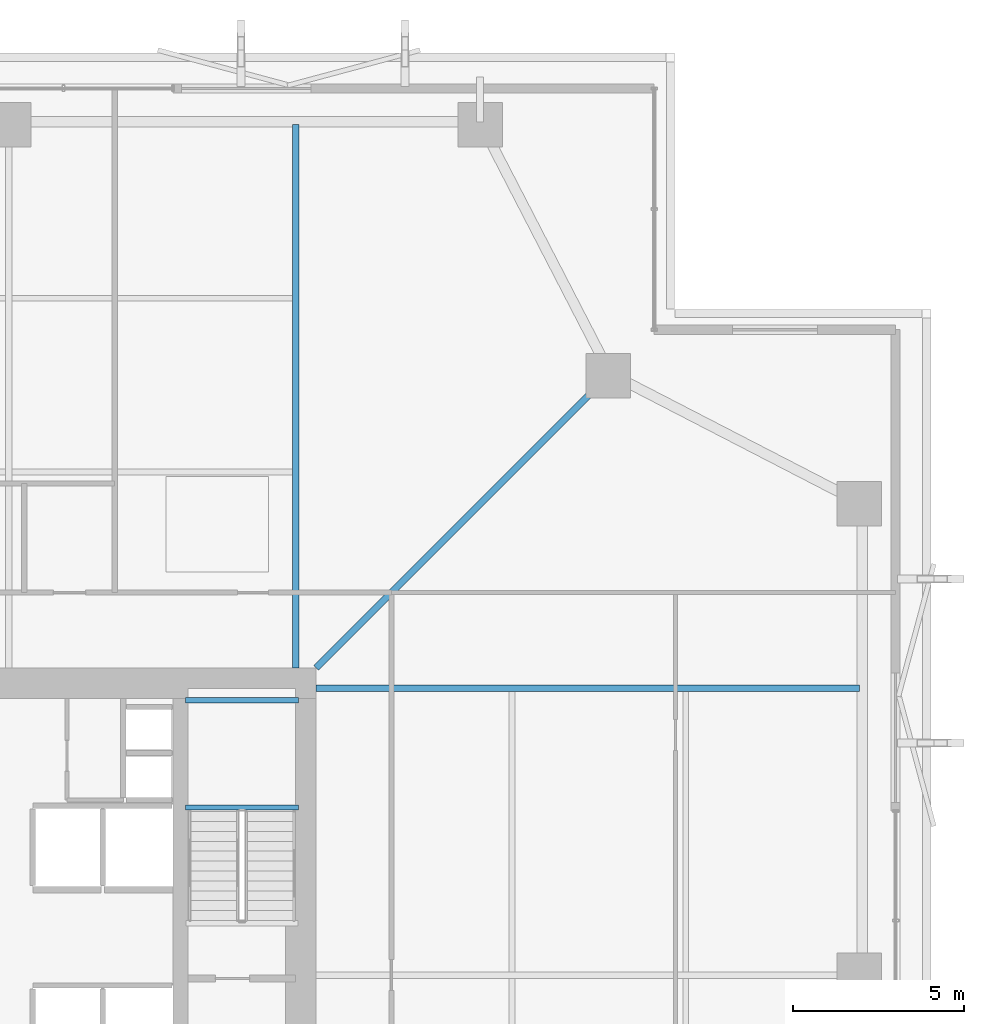
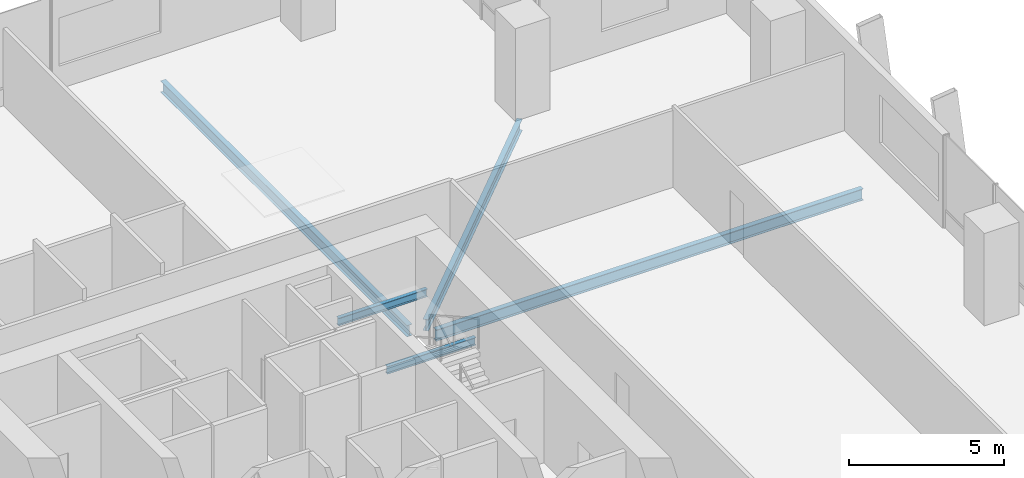
# One storey, part 23 of 34: 5 beams.
"""IFC4 building model written with IfcOpenShell, lengths in metres."""

from ifc_helpers import new_model, si_unit, direction, frame, origin, origin_2d, place, context, subcontext, project, spatial, i_section, extrude, material, material_profile, profile_set, type_object, element, save


model = new_model("IFC4")

# Units and contexts
model_context = context("Model", 3, precision=1e-05, world=origin(), true_north=direction((0.0, 1.0)))
body_context = subcontext(model_context, "Body", "Model", "MODEL_VIEW")
ifc_project = project(units=[si_unit("LENGTHUNIT", "METRE"), si_unit("AREAUNIT", "SQUARE_METRE"), si_unit("VOLUMEUNIT", "CUBIC_METRE"), si_unit("PLANEANGLEUNIT", "RADIAN"), si_unit("MASSUNIT", "GRAM", prefix="KILO")], contexts=[model_context])

# Site, building, storey
site_placement = place(None, origin())
site = spatial("IfcSite", under=ifc_project, at=site_placement, CompositionType="ELEMENT")
building_placement = place(site_placement, origin())
building = spatial("IfcBuilding", under=site, at=building_placement, Name="Belovzor Exchange Tower", CompositionType="ELEMENT")
storey_placement = place(building_placement, frame((0.0, 0.0, 113.39990234375)))
storey = spatial("IfcBuildingStorey", under=building, at=storey_placement, Name="L27", CompositionType="ELEMENT", Elevation=113.39990234375)

# Beams
ifc_material_1 = material(Name="Steel S355", Category="steel")
ifc_material_profile_1 = material_profile(ifc_material_1, i_section(OverallWidth=0.14990234375, OverallDepth=0.300048828125, WebThickness=0.007080078125, FlangeThickness=0.0107421875, at=origin_2d()))
ifc_profile_set_1 = profile_set([ifc_material_profile_1], Name="Steel S355")
beam_type_1 = type_object("IfcBeamType", Name="Secondary Trim Floor Joist IPE 300", PredefinedType="BEAM", material=ifc_profile_set_1)
for number, where, z_axis, x_axis, name in (
    (1, (37.280029296875, 33.7099609375, 1.60009765625), (-1.0, 0.0, 0.0), (0.0, -1.0, 0.0), "FJ-300 Secondary Trim Floor Joist IPE 300"),
    (2, (37.280029296875, 36.85009765625, 1.60009765625), (-1.0, 0.0, 0.0), (0.0, -1.0, 0.0), "FJ-300 Secondary Trim Floor Joist IPE 300"),
):
    element("IfcBeam", number, at=place(storey_placement, frame(where, z_axis=z_axis, x_axis=x_axis)), inside=storey, type_object=beam_type_1, Name=name, PredefinedType="BEAM", context=body_context, shape_type="SweptSolid", body=[
        extrude(i_section(OverallWidth=0.14990234375, OverallDepth=0.300048828125, WebThickness=0.007080078125, FlangeThickness=0.0107421875, at=origin_2d()), origin(), (0.0, 0.0, 1.0), 3.31005859375),
    ])
ifc_material_2 = material(Name="Steel S355", Category="steel")
ifc_material_profile_2 = material_profile(ifc_material_2, i_section(OverallWidth=0.18994140625, OverallDepth=0.449951171875, WebThickness=0.009521484375, FlangeThickness=0.0146484375, at=origin_2d()))
ifc_profile_set_2 = profile_set([ifc_material_profile_2], Name="Steel S355")
beam_type_2 = type_object("IfcBeamType", Name="Zone 2-4 Radial Composite Floor Beam IPE 450", PredefinedType="BEAM", material=ifc_profile_set_2)
for number, where, z_axis, x_axis, name in (
    (3, (37.199951171875, 37.800048828125, -0.474853515625), (0.0, 1.0, 0.0), (-1.0, 0.0, 0.0), "FB-450 Zone 2-4 Radial Composite Floor Beam IPE 450"),
    (4, (37.800048828125, 37.199951171875, -0.474853515625), (1.0, 0.0, 0.0), (0.0, 1.0, 0.0), "FB-450 Zone 2-4 Radial Composite Floor Beam IPE 450"),
):
    element("IfcBeam", number, at=place(storey_placement, frame(where, z_axis=z_axis, x_axis=x_axis)), inside=storey, type_object=beam_type_2, Name=name, PredefinedType="BEAM", context=body_context, shape_type="SweptSolid", body=[
        extrude(i_section(OverallWidth=0.18994140625, OverallDepth=0.449951171875, WebThickness=0.009521484375, FlangeThickness=0.0146484375, at=origin_2d()), origin(), (0.0, 0.0, 1.0), 15.9169921875),
    ])
beam_placement = place(storey_placement, frame((37.800048828125, 37.800048828125, -0.474853515625), z_axis=(0.707106781187, 0.707106781187, 0.0), x_axis=(-0.707106781187, 0.707106781187, 0.0)))
element("IfcBeam", 5, at=beam_placement, inside=storey, type_object=beam_type_2, Name="FB-450 Zone 2-4 Radial Composite Floor Beam IPE 450", PredefinedType="BEAM", context=body_context, shape_type="SweptSolid", body=[
    extrude(i_section(OverallWidth=0.18994140625, OverallDepth=0.449951171875, WebThickness=0.009521484375, FlangeThickness=0.0146484375, at=origin_2d()), origin(), (0.0, 0.0, 1.0), 11.718017578125),
])

save(model, "model.ifc")
